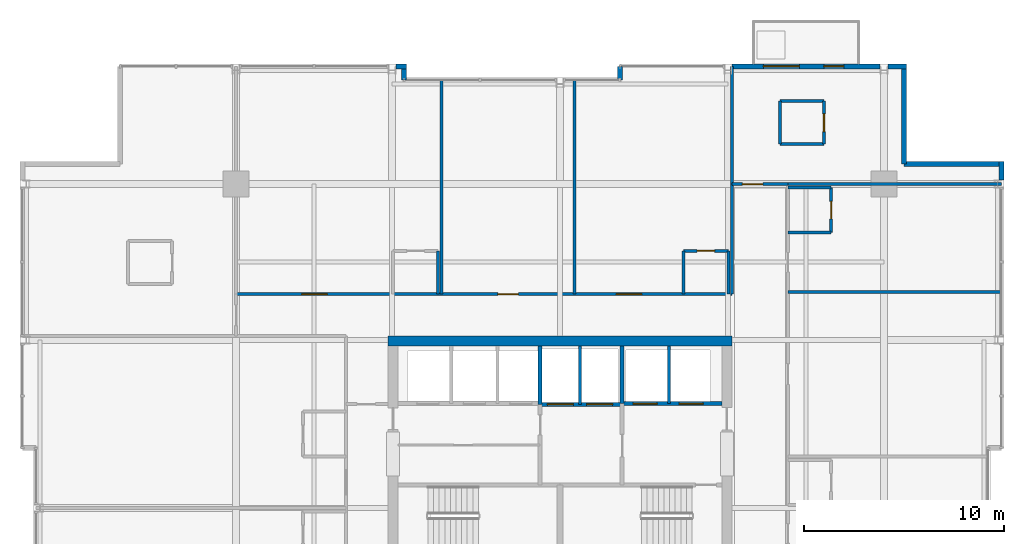
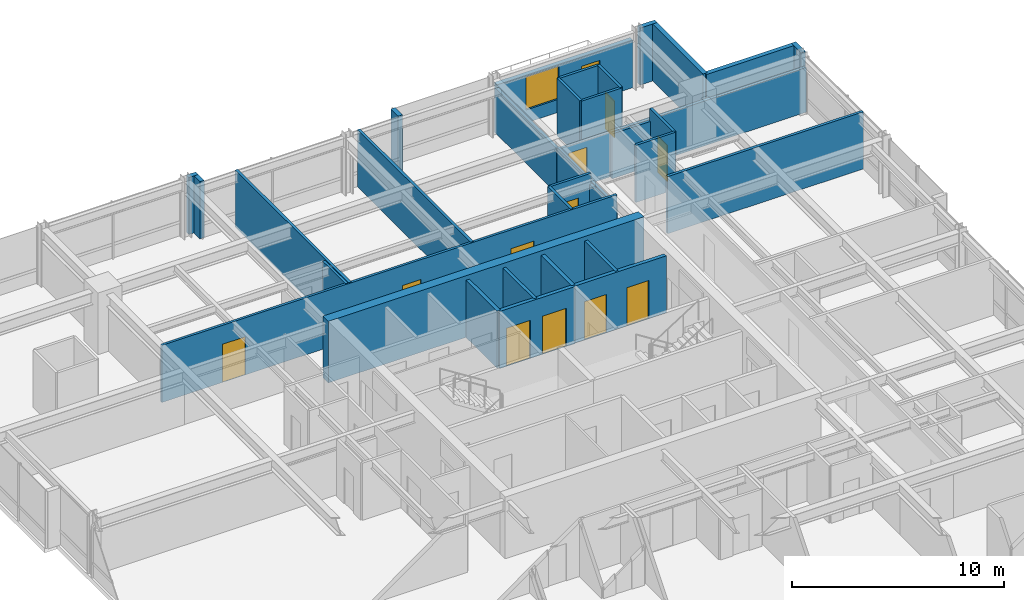
# One storey, part 30 of 33: 34 walls, 12 doors, 1 window, 13 openings.
"""IFC4 building model written with IfcOpenShell, lengths in metres."""

from ifc_helpers import new_model, si_unit, direction, frame, frame_2d, origin, place, context, subcontext, project, spatial, rectangle, extrude, material, layer, layer_set, type_object, element, fill, save


model = new_model("IFC4")

# Units and contexts
model_context = context("Model", 3, precision=1e-05, world=origin(), true_north=direction((0.0, 1.0)))
body_context = subcontext(model_context, "Body", "Model", "MODEL_VIEW")
ifc_project = project(units=[si_unit("LENGTHUNIT", "METRE"), si_unit("AREAUNIT", "SQUARE_METRE"), si_unit("VOLUMEUNIT", "CUBIC_METRE"), si_unit("PLANEANGLEUNIT", "RADIAN"), si_unit("MASSUNIT", "GRAM", prefix="KILO")], contexts=[model_context])

# Site, building, storey
site_placement = place(None, origin())
site = spatial("IfcSite", under=ifc_project, at=site_placement, CompositionType="ELEMENT")
building_placement = place(site_placement, origin())
building = spatial("IfcBuilding", under=site, at=building_placement, Name="Drelvath Grand Hotel", CompositionType="ELEMENT")
storey_placement = place(building_placement, frame((0.0, 0.0, 171.699951171875)))
storey = spatial("IfcBuildingStorey", under=building, at=storey_placement, Name="L44", CompositionType="ELEMENT", Elevation=171.699951171875)

# Wall, openings, doors
ifc_material_1 = material(Name="Concrete C40/50", Category="concrete")
ifc_layer_1 = layer(ifc_material_1, 0.199951171875)
ifc_layer_set_1 = layer_set([ifc_layer_1], Name="Concrete C40/50")
wall_type_1 = type_object("IfcWallType", Name="Core Hoistway Fire Wall 200", PredefinedType="SOLIDWALL", material=ifc_layer_set_1)
wall_1_placement = place(storey_placement, frame((3.10009765625, 32.219970703125, 0.0), z_axis=(0.0, 0.0, 1.0), x_axis=(1.0, 0.0, 0.0)))
wall_1 = element("IfcWall", 1, at=wall_1_placement, inside=storey, type_object=wall_type_1, Name="L44 FSAE Hoistway Front Wall", PredefinedType="SOLIDWALL", context=body_context, shape_type="SweptSolid", body=[
    extrude(rectangle(XDim=5.0, YDim=0.199951171875, at=frame_2d((2.5, 0.0))), origin(), (0.0, 0.0, 1.0), 3.2900390625),
])
opening_1_placement = place(wall_1_placement, frame((0.550048828125, 0.0, 0.0)))
opening_1 = element("IfcOpeningElement", 2, at=opening_1_placement, cuts=wall_1, Name="Opening LD-FSAE-1", PredefinedType="OPENING", context=body_context, shape_type="SweptSolid", body=[
    extrude(rectangle(XDim=1.199951171875, YDim=2.199951171875, at=frame_2d((0.60009765625, 1.10009765625))), frame((0.0, 0.10986328125, 0.0), z_axis=(0.0, -1.0, 0.0), x_axis=(1.0, 0.0, 0.0)), (0.0, 0.0, 1.0), 0.219970703125),
])
opening_2_placement = place(wall_1_placement, frame((2.85009765625, 0.0, 0.0)))
opening_2 = element("IfcOpeningElement", 3, at=opening_2_placement, cuts=wall_1, Name="Opening LD-FSAE-2", PredefinedType="OPENING", context=body_context, shape_type="SweptSolid", body=[
    extrude(rectangle(XDim=1.199951171875, YDim=2.199951171875, at=frame_2d((0.60009765625, 1.10009765625))), frame((0.0, 0.10986328125, 0.0), z_axis=(0.0, -1.0, 0.0), x_axis=(1.0, 0.0, 0.0)), (0.0, 0.0, 1.0), 0.219970703125),
])
ifc_material_2 = material(Name="Stainless Steel S355", Category="steel")
door_type_1 = type_object("IfcDoorType", Name="FSAE Lift Sliding Landing Door 1200x2200", OperationType="NOTDEFINED", PredefinedType="DOOR", material=ifc_material_2)
door_1_placement = place(opening_1_placement, origin())
door_1 = element("IfcDoor", 4, at=door_1_placement, inside=storey, type_object=door_type_1, Name="L44 Lift FSAE-1 Landing Door", OperationType="SLIDING_TO_LEFT", OverallHeight=2.199951171875, OverallWidth=1.199951171875, PredefinedType="DOOR", context=body_context, shape_type="SweptSolid", body=[
    extrude(rectangle(XDim=1.199951171875, YDim=2.199951171875, at=frame_2d((0.60009765625, 1.10009765625))), frame((0.0, 0.02490234375, 0.0), z_axis=(0.0, -1.0, 0.0), x_axis=(1.0, 0.0, 0.0)), (0.0, 0.0, 1.0), 0.050048828125),
])
fill(opening_1, door_1)
door_2_placement = place(opening_2_placement, origin())
door_2 = element("IfcDoor", 5, at=door_2_placement, inside=storey, type_object=door_type_1, Name="L44 Lift FSAE-2 Landing Door", OperationType="SLIDING_TO_LEFT", OverallHeight=2.199951171875, OverallWidth=1.199951171875, PredefinedType="DOOR", context=body_context, shape_type="SweptSolid", body=[
    extrude(rectangle(XDim=1.199951171875, YDim=2.199951171875, at=frame_2d((0.60009765625, 1.10009765625))), frame((0.0, 0.02490234375, 0.0), z_axis=(0.0, -1.0, 0.0), x_axis=(1.0, 0.0, 0.0)), (0.0, 0.0, 1.0), 0.050048828125),
])
fill(opening_2, door_2)

# Wall
wall_2_placement = place(storey_placement, frame((3.10009765625, 32.219970703125, 0.0), z_axis=(0.0, 0.0, 1.0), x_axis=(0.0, 1.0, 0.0)))
element("IfcWall", 6, at=wall_2_placement, inside=storey, type_object=wall_type_1, Name="L44 FSAE Hoistway West Wall", PredefinedType="SOLIDWALL", context=body_context, shape_type="SweptSolid", body=[
    extrude(rectangle(XDim=2.880126953125, YDim=0.199951171875, at=frame_2d((1.43994140625, 0.0))), origin(), (0.0, 0.0, 1.0), 3.2900390625),
])

# Wall, openings, doors
wall_3_placement = place(storey_placement, frame((-1.0, 32.179931640625, 0.0), z_axis=(0.0, 0.0, 1.0), x_axis=(1.0, 0.0, 0.0)))
wall_3 = element("IfcWall", 7, at=wall_3_placement, inside=storey, type_object=wall_type_1, Name="L44 Service Lift Hoistway Wall", PredefinedType="SOLIDWALL", context=body_context, shape_type="SweptSolid", body=[
    extrude(rectangle(XDim=4.10009765625, YDim=0.199951171875, at=frame_2d((2.050048828125, 0.0))), origin(), (0.0, 0.0, 1.0), 3.2900390625),
])
opening_3_placement = place(wall_3_placement, frame((0.3701171875, 0.0, 0.0)))
opening_3 = element("IfcOpeningElement", 8, at=opening_3_placement, cuts=wall_3, Name="Opening LD-SV-2", PredefinedType="OPENING", context=body_context, shape_type="SweptSolid", body=[
    extrude(rectangle(XDim=1.300048828125, YDim=2.199951171875, at=frame_2d((0.64990234375, 1.10009765625))), frame((0.0, 0.10986328125, 0.0), z_axis=(0.0, -1.0, 0.0), x_axis=(1.0, 0.0, 0.0)), (0.0, 0.0, 1.0), 0.219970703125),
])
opening_4_placement = place(wall_3_placement, frame((2.330078125, 0.0, 0.0)))
opening_4 = element("IfcOpeningElement", 9, at=opening_4_placement, cuts=wall_3, Name="Opening LD-SV-1", PredefinedType="OPENING", context=body_context, shape_type="SweptSolid", body=[
    extrude(rectangle(XDim=1.300048828125, YDim=2.199951171875, at=frame_2d((0.64990234375, 1.10009765625))), frame((0.0, 0.10986328125, 0.0), z_axis=(0.0, -1.0, 0.0), x_axis=(1.0, 0.0, 0.0)), (0.0, 0.0, 1.0), 0.219970703125),
])
door_type_2 = type_object("IfcDoorType", Name="Service Lift Sliding Landing Door 1300x2200", OperationType="NOTDEFINED", PredefinedType="DOOR", material=ifc_material_2)
door_3_placement = place(opening_3_placement, origin())
door_3 = element("IfcDoor", 10, at=door_3_placement, inside=storey, type_object=door_type_2, Name="L44 Lift SV-2 Landing Door", OperationType="SLIDING_TO_LEFT", OverallHeight=2.199951171875, OverallWidth=1.300048828125, PredefinedType="DOOR", context=body_context, shape_type="SweptSolid", body=[
    extrude(rectangle(XDim=1.300048828125, YDim=2.199951171875, at=frame_2d((0.64990234375, 1.10009765625))), frame((0.0, 0.02490234375, 0.0), z_axis=(0.0, -1.0, 0.0), x_axis=(1.0, 0.0, 0.0)), (0.0, 0.0, 1.0), 0.050048828125),
])
fill(opening_3, door_3)
door_4_placement = place(opening_4_placement, origin())
door_4 = element("IfcDoor", 11, at=door_4_placement, inside=storey, type_object=door_type_2, Name="L44 Lift SV-1 Landing Door", OperationType="SLIDING_TO_LEFT", OverallHeight=2.199951171875, OverallWidth=1.300048828125, PredefinedType="DOOR", context=body_context, shape_type="SweptSolid", body=[
    extrude(rectangle(XDim=1.300048828125, YDim=2.199951171875, at=frame_2d((0.64990234375, 1.10009765625))), frame((0.0, 0.02490234375, 0.0), z_axis=(0.0, -1.0, 0.0), x_axis=(1.0, 0.0, 0.0)), (0.0, 0.0, 1.0), 0.050048828125),
])
fill(opening_4, door_4)

# Walls
wall_4_placement = place(storey_placement, frame((-1.0, 32.179931640625, 0.0), z_axis=(0.0, 0.0, 1.0), x_axis=(0.0, 1.0, 0.0)))
element("IfcWall", 12, at=wall_4_placement, inside=storey, type_object=wall_type_1, Name="L44 Service Lift West Wall", PredefinedType="SOLIDWALL", context=body_context, shape_type="SweptSolid", body=[
    extrude(rectangle(XDim=2.920166015625, YDim=0.199951171875, at=frame_2d((1.4599609375, 0.0))), origin(), (0.0, 0.0, 1.0), 3.2900390625),
])
ifc_material_3 = material(Name="Gypsum Fireboard Partition")
ifc_layer_2 = layer(ifc_material_3, 0.1650390625)
ifc_layer_set_2 = layer_set([ifc_layer_2], Name="Gypsum Fireboard Partition")
wall_type_2 = type_object("IfcWallType", Name="Core Shaft Partition 165", PredefinedType="PARTITIONING", material=ifc_layer_set_2)
wall_5_placement = place(storey_placement, frame((5.449951171875, 32.219970703125, 0.0), z_axis=(0.0, 0.0, 1.0), x_axis=(0.0, 1.0, 0.0)))
element("IfcWall", 13, at=wall_5_placement, inside=storey, type_object=wall_type_2, Name="L44 FSAE Hoistway Divider", PredefinedType="PARTITIONING", context=body_context, shape_type="SweptSolid", body=[
    extrude(rectangle(XDim=2.880126953125, YDim=0.1650390625, at=frame_2d((1.43994140625, 0.0))), origin(), (0.0, 0.0, 1.0), 3.2900390625),
])
wall_6_placement = place(storey_placement, frame((1.0, 32.179931640625, 0.0), z_axis=(0.0, 0.0, 1.0), x_axis=(0.0, 1.0, 0.0)))
element("IfcWall", 14, at=wall_6_placement, inside=storey, type_object=wall_type_2, Name="L44 Service Lift Divider", PredefinedType="PARTITIONING", context=body_context, shape_type="SweptSolid", body=[
    extrude(rectangle(XDim=2.920166015625, YDim=0.1650390625, at=frame_2d((1.4599609375, 0.0))), origin(), (0.0, 0.0, 1.0), 3.2900390625),
])
ifc_layer_3 = layer(ifc_material_3, 0.135009765625)
ifc_layer_set_3 = layer_set([ifc_layer_3], Name="Gypsum Fireboard Partition")
wall_type_3 = type_object("IfcWallType", Name="Corridor Fire Barrier Wall 135", PredefinedType="PARTITIONING", material=ifc_layer_set_3)
wall_7_placement = place(storey_placement, frame((8.60009765625, 37.699951171875, 0.0), z_axis=(0.0, 0.0, 1.0), x_axis=(0.0, 1.0, 0.0)))
element("IfcWall", 15, at=wall_7_placement, inside=storey, type_object=wall_type_3, Name="L44 East Spine North Inner Wall", PredefinedType="PARTITIONING", context=body_context, shape_type="SweptSolid", body=[
    extrude(rectangle(XDim=5.5, YDim=0.135009765625, at=frame_2d((2.75, 0.0))), origin(), (0.0, 0.0, 1.0), 2.66748046875),
])

# Wall, openings, doors
wall_8_placement = place(storey_placement, frame((-16.199951171875, 37.699951171875, 0.0), z_axis=(0.0, 0.0, 1.0), x_axis=(1.0, 0.0, 0.0)))
wall_8 = element("IfcWall", 16, at=wall_8_placement, inside=storey, type_object=wall_type_3, Name="L44 North Stub Corridor Wall", PredefinedType="PARTITIONING", context=body_context, shape_type="SweptSolid", body=[
    extrude(rectangle(XDim=24.800048828125, YDim=0.135009765625, at=frame_2d((12.39990234375, 0.0))), origin(), (0.0, 0.0, 1.0), 3.2900390625),
])
opening_5_placement = place(wall_8_placement, frame((3.29638671875, 0.0, 0.0)))
opening_5 = element("IfcOpeningElement", 17, at=opening_5_placement, cuts=wall_8, Name="Opening D-T3G3-041", PredefinedType="OPENING", context=body_context, shape_type="SweptSolid", body=[
    extrude(rectangle(XDim=1.260009765625, YDim=2.199951171875, at=frame_2d((0.6298828125, 1.10009765625))), frame((0.0, 0.077392578125, 0.0), z_axis=(0.0, -1.0, 0.0), x_axis=(1.0, 0.0, 0.0)), (0.0, 0.0, 1.0), 0.155029296875),
])
opening_6_placement = place(wall_8_placement, frame((13.099853515625, 0.0, 0.0)))
opening_6 = element("IfcOpeningElement", 18, at=opening_6_placement, cuts=wall_8, Name="Opening D-T3G3-042", PredefinedType="OPENING", context=body_context, shape_type="SweptSolid", body=[
    extrude(rectangle(XDim=1.02001953125, YDim=2.14990234375, at=frame_2d((0.510009765625, 1.074951171875))), frame((0.0, 0.077392578125, 0.0), z_axis=(0.0, -1.0, 0.0), x_axis=(1.0, 0.0, 0.0)), (0.0, 0.0, 1.0), 0.155029296875),
])
opening_7_placement = place(wall_8_placement, frame((19.023193359375, 0.0, 0.0)))
opening_7 = element("IfcOpeningElement", 19, at=opening_7_placement, cuts=wall_8, Name="Opening D-T3G3-044", PredefinedType="OPENING", context=body_context, shape_type="SweptSolid", body=[
    extrude(rectangle(XDim=1.260009765625, YDim=2.199951171875, at=frame_2d((0.6298828125, 1.10009765625))), frame((0.0, 0.077392578125, 0.0), z_axis=(0.0, -1.0, 0.0), x_axis=(1.0, 0.0, 0.0)), (0.0, 0.0, 1.0), 0.155029296875),
])
ifc_material_4 = material(Name="Hardwood Walnut Timber", Category="wood")
door_type_3 = type_object("IfcDoorType", Name="Amenity Meeting Fire Door 1020x2150", OperationType="NOTDEFINED", PredefinedType="DOOR", material=ifc_material_4)
door_5_placement = place(opening_6_placement, origin())
door_5 = element("IfcDoor", 20, at=door_5_placement, inside=storey, type_object=door_type_3, Name="L44 Artisan Coffee Bar Entry Door", OperationType="SINGLE_SWING_RIGHT", OverallHeight=2.14990234375, OverallWidth=1.02001953125, PredefinedType="DOOR", context=body_context, shape_type="SweptSolid", body=[
    extrude(rectangle(XDim=1.02001953125, YDim=2.14990234375, at=frame_2d((0.510009765625, 1.074951171875))), frame((0.0, 0.02490234375, 0.0), z_axis=(0.0, -1.0, 0.0), x_axis=(1.0, 0.0, 0.0)), (0.0, 0.0, 1.0), 0.050048828125),
])
fill(opening_6, door_5)
door_type_4 = type_object("IfcDoorType", Name="Suite Entrance Fire Door 1260x2200", OperationType="NOTDEFINED", PredefinedType="DOOR", material=ifc_material_4)
door_6_placement = place(opening_5_placement, origin())
door_6 = element("IfcDoor", 21, at=door_6_placement, inside=storey, type_object=door_type_4, Name="L44 Executive Suite Entry Door", OperationType="SINGLE_SWING_LEFT", OverallHeight=2.199951171875, OverallWidth=1.260009765625, PredefinedType="DOOR", context=body_context, shape_type="SweptSolid", body=[
    extrude(rectangle(XDim=1.260009765625, YDim=2.199951171875, at=frame_2d((0.6298828125, 1.10009765625))), frame((0.0, 0.02490234375, 0.0), z_axis=(0.0, -1.0, 0.0), x_axis=(1.0, 0.0, 0.0)), (0.0, 0.0, 1.0), 0.050048828125),
])
fill(opening_5, door_6)
door_7_placement = place(opening_7_placement, origin())
door_7 = element("IfcDoor", 22, at=door_7_placement, inside=storey, type_object=door_type_4, Name="L44 Executive Suite Entry Door", OperationType="SINGLE_SWING_RIGHT", OverallHeight=2.199951171875, OverallWidth=1.260009765625, PredefinedType="DOOR", context=body_context, shape_type="SweptSolid", body=[
    extrude(rectangle(XDim=1.260009765625, YDim=2.199951171875, at=frame_2d((0.6298828125, 1.10009765625))), frame((0.0, 0.02490234375, 0.0), z_axis=(0.0, -1.0, 0.0), x_axis=(1.0, 0.0, 0.0)), (0.0, 0.0, 1.0), 0.050048828125),
])
fill(opening_7, door_7)

# Wall, opening, door
wall_9_placement = place(storey_placement, frame((8.60009765625, 43.199951171875, 0.0), z_axis=(0.0, 0.0, 1.0), x_axis=(1.0, 0.0, 0.0)))
wall_9 = element("IfcWall", 23, at=wall_9_placement, inside=storey, type_object=wall_type_3, Name="L44 East Spine North End", PredefinedType="PARTITIONING", context=body_context, shape_type="SweptSolid", body=[
    extrude(rectangle(XDim=2.7998046875, YDim=0.135009765625, at=frame_2d((1.39990234375, 0.0))), origin(), (0.0, 0.0, 1.0), 2.57958984375),
])
opening_8_placement = place(wall_9_placement, frame((0.52001953125, 0.0, 0.0)))
opening_8 = element("IfcOpeningElement", 24, at=opening_8_placement, cuts=wall_9, Name="Opening D-T3G3-031", PredefinedType="OPENING", context=body_context, shape_type="SweptSolid", body=[
    extrude(rectangle(XDim=1.02001953125, YDim=2.14990234375, at=frame_2d((0.510009765625, 1.074951171875))), frame((0.0, 0.077392578125, 0.0), z_axis=(0.0, -1.0, 0.0), x_axis=(1.0, 0.0, 0.0)), (0.0, 0.0, 1.0), 0.155029296875),
])
door_8_placement = place(opening_8_placement, origin())
door_8 = element("IfcDoor", 25, at=door_8_placement, inside=storey, type_object=door_type_3, Name="L44 Executive Suite Entry Door", OperationType="SINGLE_SWING_LEFT", OverallHeight=2.14990234375, OverallWidth=1.02001953125, PredefinedType="DOOR", context=body_context, shape_type="SweptSolid", body=[
    extrude(rectangle(XDim=1.02001953125, YDim=2.14990234375, at=frame_2d((0.510009765625, 1.074951171875))), frame((0.0, 0.02490234375, 0.0), z_axis=(0.0, -1.0, 0.0), x_axis=(1.0, 0.0, 0.0)), (0.0, 0.0, 1.0), 0.050048828125),
])
fill(opening_8, door_8)

# Walls
ifc_material_5 = material(Name="Moisture-Resistant Gypsum Board")
ifc_layer_4 = layer(ifc_material_5, 0.139892578125)
ifc_layer_set_4 = layer_set([ifc_layer_4], Name="Moisture-Resistant Gypsum Board")
wall_type_4 = type_object("IfcWallType", Name="En-Suite Plumbing Wall 140", PredefinedType="PLUMBINGWALL", material=ifc_layer_set_4)
for number, where, z_axis, x_axis, name in (
    (26, (11.0, 45.199951171875, 0.0), (0.0, 0.0, 1.0), (1.0, 0.0, 0.0), "L44 Corner En-Suite South"),
    (27, (11.0, 47.35009765625, 0.0), (0.0, 0.0, 1.0), (1.0, 0.0, 0.0), "L44 Corner En-Suite North"),
):
    element("IfcWall", number, at=place(storey_placement, frame(where, z_axis=z_axis, x_axis=x_axis)), inside=storey, type_object=wall_type_4, Name=name, PredefinedType="PLUMBINGWALL", context=body_context, shape_type="SweptSolid", body=[
        extrude(rectangle(XDim=2.199951171875, YDim=0.139892578125, at=frame_2d((1.10009765625, 0.0))), origin(), (0.0, 0.0, 1.0), 3.2900390625),
    ])
wall_10_placement = place(storey_placement, frame((11.0, 45.199951171875, 0.0), z_axis=(0.0, 0.0, 1.0), x_axis=(0.0, 1.0, 0.0)))
element("IfcWall", 28, at=wall_10_placement, inside=storey, type_object=wall_type_4, Name="L44 Corner En-Suite West", PredefinedType="PLUMBINGWALL", context=body_context, shape_type="SweptSolid", body=[
    extrude(rectangle(XDim=2.150146484375, YDim=0.139892578125, at=frame_2d((1.0751953125, 0.0))), origin(), (0.0, 0.0, 1.0), 3.2900390625),
])

# Wall, opening, door
wall_11_placement = place(storey_placement, frame((13.199951171875, 45.199951171875, 0.0), z_axis=(0.0, 0.0, 1.0), x_axis=(0.0, 1.0, 0.0)))
wall_11 = element("IfcWall", 29, at=wall_11_placement, inside=storey, type_object=wall_type_4, Name="L44 Corner En-Suite East", PredefinedType="PLUMBINGWALL", context=body_context, shape_type="SweptSolid", body=[
    extrude(rectangle(XDim=2.150146484375, YDim=0.139892578125, at=frame_2d((1.0751953125, 0.0))), origin(), (0.0, 0.0, 1.0), 3.2900390625),
])
opening_9_placement = place(wall_11_placement, frame((0.6201171875, 0.0, 0.0)))
opening_9 = element("IfcOpeningElement", 30, at=opening_9_placement, cuts=wall_11, Name="Opening D-T3G3-030", PredefinedType="OPENING", context=body_context, shape_type="SweptSolid", body=[
    extrude(rectangle(XDim=0.8798828125, YDim=2.10009765625, at=frame_2d((0.43994140625, 1.050048828125))), frame((0.0, 0.079833984375, 0.0), z_axis=(0.0, -1.0, 0.0), x_axis=(1.0, 0.0, 0.0)), (0.0, 0.0, 1.0), 0.159912109375),
])
door_type_5 = type_object("IfcDoorType", Name="En-Suite Bathroom Door 880x2100", OperationType="NOTDEFINED", PredefinedType="DOOR", material=ifc_material_4)
door_9_placement = place(opening_9_placement, origin())
door_9 = element("IfcDoor", 31, at=door_9_placement, inside=storey, type_object=door_type_5, Name="L44 Corner En-Suite Door", OperationType="SINGLE_SWING_RIGHT", OverallHeight=2.10009765625, OverallWidth=0.8798828125, PredefinedType="DOOR", context=body_context, shape_type="SweptSolid", body=[
    extrude(rectangle(XDim=0.8798828125, YDim=2.10009765625, at=frame_2d((0.43994140625, 1.050048828125))), frame((0.0, 0.02490234375, 0.0), z_axis=(0.0, -1.0, 0.0), x_axis=(1.0, 0.0, 0.0)), (0.0, 0.0, 1.0), 0.050048828125),
])
fill(opening_9, door_9)

# Walls
for number, where, z_axis, x_axis, name in (
    (32, (-6.09716796875, 37.699951171875, 0.0), (0.0, 0.0, 1.0), (0.0, 1.0, 0.0), "L44 En-Suite Right Wall"),
    (33, (6.169921875, 37.699951171875, 0.0), (0.0, 0.0, 1.0), (0.0, 1.0, 0.0), "L44 En-Suite Left Wall"),
):
    element("IfcWall", number, at=place(storey_placement, frame(where, z_axis=z_axis, x_axis=x_axis)), inside=storey, type_object=wall_type_4, Name=name, PredefinedType="PLUMBINGWALL", context=body_context, shape_type="SweptSolid", body=[
        extrude(rectangle(XDim=2.150146484375, YDim=0.139892578125, at=frame_2d((1.0751953125, 0.0))), origin(), (0.0, 0.0, 1.0), 3.2900390625),
    ])
wall_12_placement = place(storey_placement, frame((8.419921875, 37.699951171875, 0.0), z_axis=(0.0, 0.0, 1.0), x_axis=(0.0, 1.0, 0.0)))
element("IfcWall", 34, at=wall_12_placement, inside=storey, type_object=wall_type_4, Name="L44 En-Suite Right Wall", PredefinedType="PLUMBINGWALL", context=body_context, shape_type="SweptSolid", body=[
    extrude(rectangle(XDim=2.150146484375, YDim=0.139892578125, at=frame_2d((1.0751953125, 0.0))), origin(), (0.0, 0.0, 1.0), 2.66748046875),
])

# Wall, opening, door
wall_13_placement = place(storey_placement, frame((6.169921875, 39.85009765625, 0.0), z_axis=(0.0, 0.0, 1.0), x_axis=(1.0, 0.0, 0.0)))
wall_13 = element("IfcWall", 35, at=wall_13_placement, inside=storey, type_object=wall_type_4, Name="L44 En-Suite Front Wall", PredefinedType="PLUMBINGWALL", context=body_context, shape_type="SweptSolid", body=[
    extrude(rectangle(XDim=2.25, YDim=0.139892578125, at=frame_2d((1.125, 0.0))), origin(), (0.0, 0.0, 1.0), 3.2900390625),
])
opening_10_placement = place(wall_13_placement, frame((0.68505859375, 0.0, 0.0)))
opening_10 = element("IfcOpeningElement", 36, at=opening_10_placement, cuts=wall_13, Name="Opening D-T3G3-043", PredefinedType="OPENING", context=body_context, shape_type="SweptSolid", body=[
    extrude(rectangle(XDim=0.8798828125, YDim=2.10009765625, at=frame_2d((0.43994140625, 1.050048828125))), frame((0.0, 0.079833984375, 0.0), z_axis=(0.0, -1.0, 0.0), x_axis=(1.0, 0.0, 0.0)), (0.0, 0.0, 1.0), 0.159912109375),
])
door_10_placement = place(opening_10_placement, origin())
door_10 = element("IfcDoor", 37, at=door_10_placement, inside=storey, type_object=door_type_5, Name="L44 En-Suite Bathroom Door", OperationType="SINGLE_SWING_LEFT", OverallHeight=2.10009765625, OverallWidth=0.8798828125, PredefinedType="DOOR", context=body_context, shape_type="SweptSolid", body=[
    extrude(rectangle(XDim=0.8798828125, YDim=2.10009765625, at=frame_2d((0.43994140625, 1.050048828125))), frame((0.0, 0.02490234375, 0.0), z_axis=(0.0, -1.0, 0.0), x_axis=(1.0, 0.0, 0.0)), (0.0, 0.0, 1.0), 0.050048828125),
])
fill(opening_10, door_10)

# Walls
wall_14_placement = place(storey_placement, frame((11.39990234375, 40.77001953125, 0.0), z_axis=(0.0, 0.0, 1.0), x_axis=(1.0, 0.0, 0.0)))
element("IfcWall", 38, at=wall_14_placement, inside=storey, type_object=wall_type_4, Name="L44 En-Suite Left Wall", PredefinedType="PLUMBINGWALL", context=body_context, shape_type="SweptSolid", body=[
    extrude(rectangle(XDim=2.150146484375, YDim=0.139892578125, at=frame_2d((1.0751953125, 0.0))), origin(), (0.0, 0.0, 1.0), 3.2900390625),
])
wall_15_placement = place(storey_placement, frame((11.39990234375, 43.02001953125, 0.0), z_axis=(0.0, 0.0, 1.0), x_axis=(1.0, 0.0, 0.0)))
element("IfcWall", 39, at=wall_15_placement, inside=storey, type_object=wall_type_4, Name="L44 En-Suite Right Wall", PredefinedType="PLUMBINGWALL", context=body_context, shape_type="SweptSolid", body=[
    extrude(rectangle(XDim=2.150146484375, YDim=0.139892578125, at=frame_2d((1.0751953125, 0.0))), origin(), (0.0, 0.0, 1.0), 2.57958984375),
])

# Wall, opening, door
wall_16_placement = place(storey_placement, frame((13.550048828125, 40.77001953125, 0.0), z_axis=(0.0, 0.0, 1.0), x_axis=(0.0, 1.0, 0.0)))
wall_16 = element("IfcWall", 40, at=wall_16_placement, inside=storey, type_object=wall_type_4, Name="L44 En-Suite Front Wall", PredefinedType="PLUMBINGWALL", context=body_context, shape_type="SweptSolid", body=[
    extrude(rectangle(XDim=2.25, YDim=0.139892578125, at=frame_2d((1.125, 0.0))), origin(), (0.0, 0.0, 1.0), 3.2900390625),
])
opening_11_placement = place(wall_16_placement, frame((0.68505859375, 0.0, 0.0)))
opening_11 = element("IfcOpeningElement", 41, at=opening_11_placement, cuts=wall_16, Name="Opening D-T3G3-051", PredefinedType="OPENING", context=body_context, shape_type="SweptSolid", body=[
    extrude(rectangle(XDim=0.8798828125, YDim=2.10009765625, at=frame_2d((0.43994140625, 1.050048828125))), frame((0.0, 0.079833984375, 0.0), z_axis=(0.0, -1.0, 0.0), x_axis=(1.0, 0.0, 0.0)), (0.0, 0.0, 1.0), 0.159912109375),
])
door_11_placement = place(opening_11_placement, origin())
door_11 = element("IfcDoor", 42, at=door_11_placement, inside=storey, type_object=door_type_5, Name="L44 En-Suite Bathroom Door", OperationType="SINGLE_SWING_LEFT", OverallHeight=2.10009765625, OverallWidth=0.8798828125, PredefinedType="DOOR", context=body_context, shape_type="SweptSolid", body=[
    extrude(rectangle(XDim=0.8798828125, YDim=2.10009765625, at=frame_2d((0.43994140625, 1.050048828125))), frame((0.0, 0.02490234375, 0.0), z_axis=(0.0, -1.0, 0.0), x_axis=(1.0, 0.0, 0.0)), (0.0, 0.0, 1.0), 0.050048828125),
])
fill(opening_11, door_11)

# Walls
ifc_material_6 = material(Name="Gypsum Acoustic Partition")
ifc_layer_5 = layer(ifc_material_6, 0.14990234375)
ifc_layer_set_5 = layer_set([ifc_layer_5], Name="Gypsum Acoustic Partition")
wall_type_5 = type_object("IfcWallType", Name="Guestroom Demising Wall 150", PredefinedType="PARTITIONING", material=ifc_layer_set_5)
for number, where, z_axis, x_axis, name in (
    (43, (-5.9169921875, 37.699951171875, 0.0), (0.0, 0.0, 1.0), (0.0, 1.0, 0.0), "L44 North Demising 1"),
    (44, (0.736572265625, 37.699951171875, 0.0), (0.0, 0.0, 1.0), (0.0, 1.0, 0.0), "L44 North Demising 2"),
):
    element("IfcWall", number, at=place(storey_placement, frame(where, z_axis=z_axis, x_axis=x_axis)), inside=storey, type_object=wall_type_5, Name=name, PredefinedType="PARTITIONING", context=body_context, shape_type="SweptSolid", body=[
        extrude(rectangle(XDim=10.699951171875, YDim=0.14990234375, at=frame_2d((5.35009765625, 0.0))), origin(), (0.0, 0.0, 1.0), 3.2900390625),
    ])
wall_17_placement = place(storey_placement, frame((11.39990234375, 37.800048828125, 0.0), z_axis=(0.0, 0.0, 1.0), x_axis=(1.0, 0.0, 0.0)))
element("IfcWall", 45, at=wall_17_placement, inside=storey, type_object=wall_type_5, Name="L44 East Demising 4", PredefinedType="PARTITIONING", context=body_context, shape_type="SweptSolid", body=[
    extrude(rectangle(XDim=10.68017578125, YDim=0.14990234375, at=frame_2d((5.340087890625, 0.0))), origin(), (0.0, 0.0, 1.0), 3.2900390625),
])
ifc_layer_6 = layer(ifc_material_6, 0.1650390625)
ifc_layer_set_6 = layer_set([ifc_layer_6], Name="Gypsum Acoustic Partition")
wall_type_6 = type_object("IfcWallType", Name="Suite Demising Wall 165", PredefinedType="PARTITIONING", material=ifc_layer_set_6)
wall_18_placement = place(storey_placement, frame((8.60009765625, 43.199951171875, 0.0), z_axis=(0.0, 0.0, 1.0), x_axis=(0.0, 1.0, 0.0)))
element("IfcWall", 46, at=wall_18_placement, inside=storey, type_object=wall_type_6, Name="L44 NE Suite West Wall", PredefinedType="PARTITIONING", context=body_context, shape_type="SweptSolid", body=[
    extrude(rectangle(XDim=5.880126953125, YDim=0.1650390625, at=frame_2d((2.93994140625, 0.0))), origin(), (0.0, 0.0, 1.0), 2.57958984375),
])
wall_19_placement = place(storey_placement, frame((11.39990234375, 43.199951171875, 0.0), z_axis=(0.0, 0.0, 1.0), x_axis=(1.0, 0.0, 0.0)))
element("IfcWall", 47, at=wall_19_placement, inside=storey, type_object=wall_type_6, Name="L44 NE Suite South Wall", PredefinedType="PARTITIONING", context=body_context, shape_type="SweptSolid", body=[
    extrude(rectangle(XDim=10.68017578125, YDim=0.1650390625, at=frame_2d((5.340087890625, 0.0))), origin(), (0.0, 0.0, 1.0), 2.57958984375),
])
ifc_material_7 = material(Name="Pale-Metal Insulated Aluminium Spandrel Assembly", Category="aluminium")
ifc_layer_7 = layer(ifc_material_7, 0.239990234375)
ifc_layer_set_7 = layer_set([ifc_layer_7], Name="Pale-Metal Insulated Aluminium Spandrel Assembly")
wall_type_7 = type_object("IfcWallType", Name="Tower Insulated Metal Spandrel Closure Wall 240", PredefinedType="STANDARD", material=ifc_layer_set_7)
wall_20_placement = place(storey_placement, frame((22.080078125, 44.320068359375, 0.0), z_axis=(0.0, 0.0, 1.0), x_axis=(0.0, -1.0, 0.0)))
element("IfcWall", 48, at=wall_20_placement, inside=storey, type_object=wall_type_7, Name="L44 Corner Pier Spandrel Wall EN3", PredefinedType="STANDARD", context=body_context, shape_type="SweptSolid", body=[
    extrude(rectangle(XDim=0.919921875, YDim=0.239990234375, at=frame_2d((0.4599609375, 0.0))), origin(), (0.0, 0.0, 1.0), 3.2900390625),
])
wall_21_placement = place(storey_placement, frame((-8.199951171875, 49.080078125, 0.0), z_axis=(0.0, 0.0, 1.0), x_axis=(1.0, 0.0, 0.0)))
element("IfcWall", 49, at=wall_21_placement, inside=storey, type_object=wall_type_7, Name="L44 Corner Pier Spandrel Wall NW3", PredefinedType="STANDARD", context=body_context, shape_type="SweptSolid", body=[
    extrude(rectangle(XDim=0.52001953125, YDim=0.239990234375, at=frame_2d((0.260009765625, 0.0))), origin(), (0.0, 0.0, 1.0), 3.2900390625),
])

# Wall, openings, window, door
wall_22_placement = place(storey_placement, frame((8.60009765625, 49.080078125, 0.0), z_axis=(0.0, 0.0, 1.0), x_axis=(1.0, 0.0, 0.0)))
wall_22 = element("IfcWall", 50, at=wall_22_placement, inside=storey, type_object=wall_type_7, Name="L44 Exterior Terrace Door Bay Wall NE2", PredefinedType="STANDARD", context=body_context, shape_type="SweptSolid", body=[
    extrude(rectangle(XDim=7.39990234375, YDim=0.239990234375, at=frame_2d((3.699951171875, 0.0))), origin(), (0.0, 0.0, 1.0), 2.75341796875),
])
opening_12_placement = place(wall_22_placement, frame((4.599853515625, 0.0, 0.0)))
opening_12 = element("IfcOpeningElement", 51, at=opening_12_placement, cuts=wall_22, Name="Opening TD-1000", PredefinedType="OPENING", context=body_context, shape_type="SweptSolid", body=[
    extrude(rectangle(XDim=1.0, YDim=2.199951171875, at=frame_2d((0.5, 1.10009765625))), frame((0.0, 0.1298828125, 0.0), z_axis=(0.0, -1.0, 0.0), x_axis=(1.0, 0.0, 0.0)), (0.0, 0.0, 1.0), 0.260009765625),
])
opening_13_placement = place(wall_22_placement, frame((1.574951171875, 0.0, 0.75)))
opening_13 = element("IfcOpeningElement", 52, at=opening_13_placement, cuts=wall_22, Name="Opening W-02", PredefinedType="OPENING", context=body_context, shape_type="SweptSolid", body=[
    extrude(rectangle(XDim=1.800048828125, YDim=1.9033203125, at=frame_2d((0.89990234375, 0.95166015625))), frame((0.0, 0.1298828125, 0.0), z_axis=(0.0, -1.0, 0.0), x_axis=(1.0, 0.0, 0.0)), (0.0, 0.0, 1.0), 0.260009765625),
])
ifc_material_8 = material(Name="Bronze Anodised Low-E Triple Glazing", Category="glass")
window_type = type_object("IfcWindowType", Name="Chicago Double-Pane Podium Window 1800x2400", PartitioningType="DOUBLE_PANEL_VERTICAL", PredefinedType="WINDOW", material=ifc_material_8)
window_placement = place(opening_13_placement, origin())
window = element("IfcWindow", 53, at=window_placement, inside=storey, type_object=window_type, Name="L44 Terrace Bay Companion Window NE2", OverallHeight=1.9033203125, OverallWidth=1.800048828125, PartitioningType="SINGLE_PANEL", PredefinedType="WINDOW", context=body_context, shape_type="SweptSolid", body=[
    extrude(rectangle(XDim=1.800048828125, YDim=1.9033203125, at=frame_2d((0.89990234375, 0.95166015625))), frame((0.0, 0.030029296875, 0.0), z_axis=(0.0, -1.0, 0.0), x_axis=(1.0, 0.0, 0.0)), (0.0, 0.0, 1.0), 0.06005859375),
])
fill(opening_13, window)
ifc_material_9 = material(Name="Anodised Aluminium Thermally Broken Glazed Door", Category="aluminium")
door_type_6 = type_object("IfcDoorType", Name="Terrace and Tree Balcony Glazed Door 1000x2200", OperationType="NOTDEFINED", PredefinedType="DOOR", material=ifc_material_9)
door_12_placement = place(opening_12_placement, origin())
door_12 = element("IfcDoor", 54, at=door_12_placement, inside=storey, type_object=door_type_6, Name="L44 Tree Balcony Door DOOR-L44-TBAL-1", OperationType="SINGLE_SWING_LEFT", OverallHeight=2.199951171875, OverallWidth=1.0, PredefinedType="DOOR", context=body_context, shape_type="SweptSolid", body=[
    extrude(rectangle(XDim=1.0, YDim=2.199951171875, at=frame_2d((0.5, 1.10009765625))), frame((0.0, 0.02490234375, 0.0), z_axis=(0.0, -1.0, 0.0), x_axis=(1.0, 0.0, 0.0)), (0.0, 0.0, 1.0), 0.050048828125),
])
fill(opening_12, door_12)

# Walls
wall_23_placement = place(storey_placement, frame((16.400146484375, 49.080078125, 0.0), z_axis=(0.0, 0.0, 1.0), x_axis=(1.0, 0.0, 0.0)))
element("IfcWall", 55, at=wall_23_placement, inside=storey, type_object=wall_type_7, Name="L44 Corner Pier Spandrel Wall NE3", PredefinedType="STANDARD", context=body_context, shape_type="SweptSolid", body=[
    extrude(rectangle(XDim=0.919921875, YDim=0.239990234375, at=frame_2d((0.4599609375, 0.0))), origin(), (0.0, 0.0, 1.0), 3.2900390625),
])
for number, where, z_axis, x_axis, name in (
    (56, (17.199951171875, 48.9599609375, 0.0), (0.0, 0.0, 1.0), (0.0, -1.0, 0.0), "L44 Notched Corner Return Spandrel Wall CNE1"),
    (57, (17.199951171875, 44.199951171875, 0.0), (0.0, 0.0, 1.0), (1.0, 0.0, 0.0), "L44 Notched Corner Return Spandrel Wall CNE2"),
):
    element("IfcWall", number, at=place(storey_placement, frame(where, z_axis=z_axis, x_axis=x_axis)), inside=storey, type_object=wall_type_7, Name=name, PredefinedType="STANDARD", context=body_context, shape_type="SweptSolid", body=[
        extrude(rectangle(XDim=4.760009765625, YDim=0.239990234375, at=frame_2d((2.3798828125, 0.0))), origin(), (0.0, 0.0, 1.0), 3.2900390625),
    ])
wall_24_placement = place(storey_placement, frame((-7.800048828125, 48.9599609375, 0.0), z_axis=(0.0, 0.0, 1.0), x_axis=(0.0, -1.0, 0.0)))
element("IfcWall", 58, at=wall_24_placement, inside=storey, type_object=wall_type_7, Name="L44 Notched Corner Return Spandrel Wall RN1", PredefinedType="STANDARD", context=body_context, shape_type="SweptSolid", body=[
    extrude(rectangle(XDim=0.56005859375, YDim=0.239990234375, at=frame_2d((0.280029296875, 0.0))), origin(), (0.0, 0.0, 1.0), 3.2900390625),
])
wall_25_placement = place(storey_placement, frame((3.0, 48.39990234375, 0.0), z_axis=(0.0, 0.0, 1.0), x_axis=(0.0, 1.0, 0.0)))
element("IfcWall", 59, at=wall_25_placement, inside=storey, type_object=wall_type_7, Name="L44 Notched Corner Return Spandrel Wall RN2", PredefinedType="STANDARD", context=body_context, shape_type="SweptSolid", body=[
    extrude(rectangle(XDim=0.68017578125, YDim=0.239990234375, at=frame_2d((0.340087890625, 0.0))), origin(), (0.0, 0.0, 1.0), 3.2900390625),
])
ifc_material_10 = material(Name="Concrete f'c 55 MPa", Category="concrete")
ifc_layer_8 = layer(ifc_material_10, 0.5)
ifc_layer_set_8 = layer_set([ifc_layer_8], Name="Concrete f'c 55 MPa")
wall_type_8 = type_object("IfcWallType", Name="Upper Core RC Shear Wall 500", PredefinedType="SHEAR", material=ifc_layer_set_8)
wall_26_placement = place(storey_placement, frame((-8.60009765625, 35.35009765625, 0.0), z_axis=(0.0, 0.0, 1.0), x_axis=(1.0, 0.0, 0.0)))
element("IfcWall", 60, at=wall_26_placement, inside=storey, type_object=wall_type_8, Name="L44 Central Core Shear Wall N", PredefinedType="SHEAR", context=body_context, shape_type="SweptSolid", body=[
    extrude(rectangle(XDim=17.2001953125, YDim=0.5, at=frame_2d((8.60009765625, 0.0))), origin(), (0.0, 0.0, 1.0), 3.550048828125),
])

save(model, "model.ifc")
